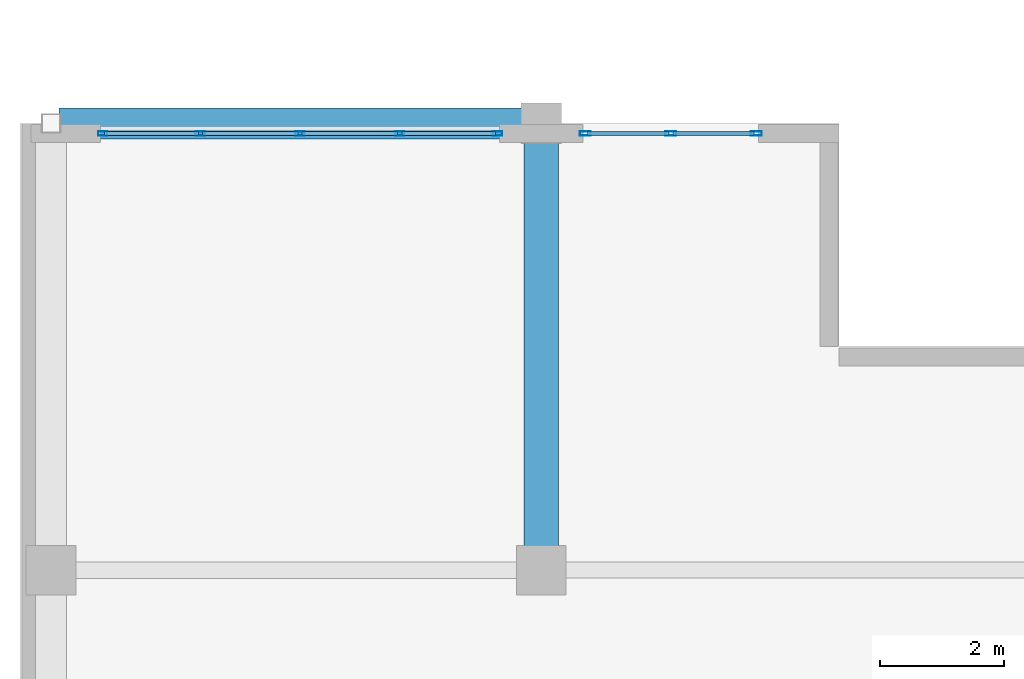
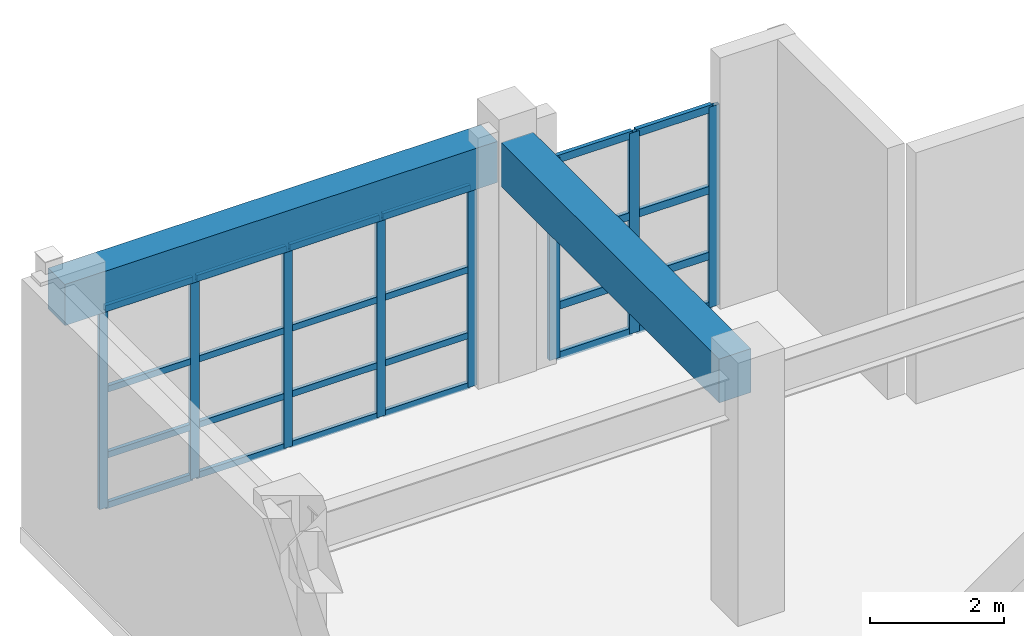
# One storey, part 42 of 123: 32 members, 2 beams, 2 elements without a shape of their own.
"""IFC4 building model written with IfcOpenShell, lengths in metres."""

from ifc_helpers import new_model, si_unit, direction, frame, origin, origin_2d, place, context, subcontext, project, spatial, rectangle, hollow_rectangle, extrude, material, layer, layer_set, material_profile, profile_set, type_object, element, aggregate, save


model = new_model("IFC4")

# Units and contexts
model_context = context("Model", 3, precision=1e-05, world=origin(), true_north=direction((0.0, 1.0)))
body_context = subcontext(model_context, "Body", "Model", "MODEL_VIEW")
ifc_project = project(units=[si_unit("LENGTHUNIT", "METRE"), si_unit("AREAUNIT", "SQUARE_METRE"), si_unit("VOLUMEUNIT", "CUBIC_METRE"), si_unit("PLANEANGLEUNIT", "RADIAN"), si_unit("MASSUNIT", "GRAM", prefix="KILO")], contexts=[model_context])

# Site, building, storey
site_placement = place(None, origin())
site = spatial("IfcSite", under=ifc_project, at=site_placement, CompositionType="ELEMENT")
building_placement = place(site_placement, origin())
building = spatial("IfcBuilding", under=site, at=building_placement, Name="Quendrovan Civic Courthouse", CompositionType="ELEMENT")
storey_placement = place(building_placement, frame((0.0, 0.0, 5.39990234375)))
storey = spatial("IfcBuildingStorey", under=building, at=storey_placement, Name="L02", CompositionType="ELEMENT", Elevation=5.39990234375)

# Beams
ifc_material_1 = material(Name="Concrete C40/50", Category="concrete")
ifc_material_profile_1 = material_profile(ifc_material_1, rectangle(XDim=0.5, YDim=0.75, at=origin_2d()), Name="RC-BM-500x750")
ifc_profile_set_1 = profile_set([ifc_material_profile_1], Name="Concrete C40/50")
beam_type_1 = type_object("IfcBeamType", Name="BM-RC750", PredefinedType="SPANDREL", material=ifc_profile_set_1)
beam_1_placement = place(storey_placement, frame((0.6298828125, 102.0, 3.985107421875), z_axis=(1.0, 0.0, 0.0), x_axis=(0.0, 1.0, 0.0)))
element("IfcBeam", 1, at=beam_1_placement, inside=storey, type_object=beam_type_1, Name="L02 Girder X0575", PredefinedType="SPANDREL", context=body_context, shape_type="SweptSolid", body=[
    extrude(rectangle(XDim=0.5, YDim=0.75, at=origin_2d()), origin(), (0.0, 0.0, 1.0), 7.465087890625),
])
ifc_material_profile_2 = material_profile(ifc_material_1, rectangle(XDim=0.550048828125, YDim=0.800048828125, at=origin_2d()), Name="RC-BM-550x800")
ifc_profile_set_2 = profile_set([ifc_material_profile_2], Name="Concrete C40/50")
beam_type_2 = type_object("IfcBeamType", Name="BM-RC800", PredefinedType="BEAM", material=ifc_profile_set_2)
beam_2_placement = place(storey_placement, frame((8.39990234375, 95.179931640625, 3.960205078125), z_axis=(0.0, 1.0, 0.0), x_axis=(-1.0, 0.0, 0.0)))
element("IfcBeam", 2, at=beam_2_placement, inside=storey, type_object=beam_type_2, Name="L02 Girder Y0621", PredefinedType="BEAM", context=body_context, shape_type="SweptSolid", body=[
    extrude(rectangle(XDim=0.550048828125, YDim=0.800048828125, at=origin_2d()), origin(), (0.0, 0.0, 1.0), 6.51513671875),
])

# Curtain wall, members
ifc_material_2 = material(Name="Bronze anodised aluminium and low-E glass", Category="aluminium")
ifc_layer_1 = layer(ifc_material_2, 0.179931640625, Name="Bronze anodised aluminium and low-E glass")
ifc_layer_set_1 = layer_set([ifc_layer_1], Name="Bronze anodised aluminium and low-E glass")
curtain_wall_type_1 = type_object("IfcCurtainWallType", Name="CW-U28x37", PredefinedType="USERDEFINED", material=ifc_layer_set_1)
curtain_wall_1_placement = place(storey_placement, origin())
curtain_wall_1 = element("IfcCurtainWall", 3, at=curtain_wall_1_placement, inside=storey, type_object=curtain_wall_type_1, Name="L02 Unitised Hurricane Curtain Wall CW-068", ObjectType="UNITISED CURTAIN WALL", PredefinedType="USERDEFINED")
ifc_material_3 = material(Name="Bronze anodised aluminium", Category="aluminium")
ifc_material_profile_3 = material_profile(ifc_material_3, hollow_rectangle(XDim=0.070068359375, YDim=0.179931640625, WallThickness=0.00390625, at=origin_2d()), Name="CW-MULL-70x180")
ifc_profile_set_3 = profile_set([ifc_material_profile_3], Name="Bronze anodised aluminium")
member_type_1 = type_object("IfcMemberType", Name="CW-MULL-A", PredefinedType="MULLION", material=ifc_profile_set_3)
member_1_placement = place(storey_placement, frame((9.110107421875, 101.8349609375, 0.0), z_axis=(0.0, 0.0, 1.0), x_axis=(0.0, 1.0, 0.0)))
member_1 = element("IfcMember", 4, at=member_1_placement, type_object=member_type_1, Name="CW-068 mullion 1", PredefinedType="MULLION", context=body_context, shape_type="SweptSolid", body=[
    extrude(hollow_rectangle(XDim=0.070068359375, YDim=0.179931640625, WallThickness=0.00390625, at=origin_2d()), origin(), (0.0, 0.0, 1.0), 3.66015625),
])
member_2_placement = place(storey_placement, frame((10.487548828125, 101.8349609375, 0.0), z_axis=(0.0, 0.0, 1.0), x_axis=(0.0, 1.0, 0.0)))
member_2 = element("IfcMember", 5, at=member_2_placement, type_object=member_type_1, Name="CW-068 mullion 2", PredefinedType="MULLION", context=body_context, shape_type="SweptSolid", body=[
    extrude(hollow_rectangle(XDim=0.070068359375, YDim=0.179931640625, WallThickness=0.00390625, at=origin_2d()), origin(), (0.0, 0.0, 1.0), 3.66015625),
])
member_3_placement = place(storey_placement, frame((11.864990234375, 101.8349609375, 0.0), z_axis=(0.0, 0.0, 1.0), x_axis=(0.0, 1.0, 0.0)))
member_3 = element("IfcMember", 6, at=member_3_placement, type_object=member_type_1, Name="CW-068 mullion 3", PredefinedType="MULLION", context=body_context, shape_type="SweptSolid", body=[
    extrude(hollow_rectangle(XDim=0.070068359375, YDim=0.179931640625, WallThickness=0.00390625, at=origin_2d()), origin(), (0.0, 0.0, 1.0), 3.66015625),
])

ifc_layer_2 = layer(ifc_material_2, 0.179931640625, Name="Bronze anodised aluminium and low-E glass")
ifc_layer_set_2 = layer_set([ifc_layer_2], Name="Bronze anodised aluminium and low-E glass")
curtain_wall_type_2 = type_object("IfcCurtainWallType", Name="CW-U64x37", PredefinedType="USERDEFINED", material=ifc_layer_set_2)
curtain_wall_2_placement = place(storey_placement, origin())
curtain_wall_2 = element("IfcCurtainWall", 7, at=curtain_wall_2_placement, inside=storey, type_object=curtain_wall_type_2, Name="L02 Unitised Hurricane Curtain Wall CW-067", ObjectType="UNITISED CURTAIN WALL", PredefinedType="USERDEFINED")
ifc_material_profile_4 = material_profile(ifc_material_3, hollow_rectangle(XDim=0.06494140625, YDim=0.14990234375, WallThickness=0.00390625, at=origin_2d()), Name="CW-MULL-65x150")
ifc_profile_set_4 = profile_set([ifc_material_profile_4], Name="Bronze anodised aluminium")
member_type_2 = type_object("IfcMemberType", Name="CW-MULL-B", PredefinedType="MULLION", material=ifc_profile_set_4)
member_4_placement = place(storey_placement, frame((1.33251953125, 101.8349609375, 0.0), z_axis=(0.0, 0.0, 1.0), x_axis=(0.0, 1.0, 0.0)))
member_4 = element("IfcMember", 8, at=member_4_placement, type_object=member_type_2, Name="CW-067 mullion 1", PredefinedType="MULLION", context=body_context, shape_type="SweptSolid", body=[
    extrude(hollow_rectangle(XDim=0.06494140625, YDim=0.14990234375, WallThickness=0.00390625, at=origin_2d()), origin(), (0.0, 0.0, 1.0), 3.66015625),
])
member_5_placement = place(storey_placement, frame((2.90625, 101.8349609375, 0.0), z_axis=(0.0, 0.0, 1.0), x_axis=(0.0, 1.0, 0.0)))
member_5 = element("IfcMember", 9, at=member_5_placement, type_object=member_type_2, Name="CW-067 mullion 2", PredefinedType="MULLION", context=body_context, shape_type="SweptSolid", body=[
    extrude(hollow_rectangle(XDim=0.06494140625, YDim=0.14990234375, WallThickness=0.00390625, at=origin_2d()), origin(), (0.0, 0.0, 1.0), 3.66015625),
])
member_6_placement = place(storey_placement, frame((4.512451171875, 101.8349609375, 0.0), z_axis=(0.0, 0.0, 1.0), x_axis=(0.0, 1.0, 0.0)))
member_6 = element("IfcMember", 10, at=member_6_placement, type_object=member_type_2, Name="CW-067 mullion 3", PredefinedType="MULLION", context=body_context, shape_type="SweptSolid", body=[
    extrude(hollow_rectangle(XDim=0.06494140625, YDim=0.14990234375, WallThickness=0.00390625, at=origin_2d()), origin(), (0.0, 0.0, 1.0), 3.66015625),
])
member_7_placement = place(storey_placement, frame((6.11865234375, 101.8349609375, 0.0), z_axis=(0.0, 0.0, 1.0), x_axis=(0.0, 1.0, 0.0)))
member_7 = element("IfcMember", 11, at=member_7_placement, type_object=member_type_2, Name="CW-067 mullion 4", PredefinedType="MULLION", context=body_context, shape_type="SweptSolid", body=[
    extrude(hollow_rectangle(XDim=0.06494140625, YDim=0.14990234375, WallThickness=0.00390625, at=origin_2d()), origin(), (0.0, 0.0, 1.0), 3.66015625),
])
member_8_placement = place(storey_placement, frame((7.6923828125, 101.8349609375, 0.0), z_axis=(0.0, 0.0, 1.0), x_axis=(0.0, 1.0, 0.0)))
member_8 = element("IfcMember", 12, at=member_8_placement, type_object=member_type_2, Name="CW-067 mullion 5", PredefinedType="MULLION", context=body_context, shape_type="SweptSolid", body=[
    extrude(hollow_rectangle(XDim=0.06494140625, YDim=0.14990234375, WallThickness=0.00390625, at=origin_2d()), origin(), (0.0, 0.0, 1.0), 3.66015625),
])

# Member
ifc_material_profile_5 = material_profile(ifc_material_3, hollow_rectangle(XDim=0.070068359375, YDim=0.139892578125, WallThickness=0.00390625, at=origin_2d()), Name="CW-TRAN-70x140")
ifc_profile_set_5 = profile_set([ifc_material_profile_5], Name="Bronze anodised aluminium")
member_type_3 = type_object("IfcMemberType", Name="CW-TRAN-A", PredefinedType="USERDEFINED", material=ifc_profile_set_5)
member_9_placement = place(storey_placement, frame((9.14501953125, 101.8349609375, 0.03515625), z_axis=(1.0, 0.0, 0.0), x_axis=(0.0, 1.0, 0.0)))
member_9 = element("IfcMember", 13, at=member_9_placement, type_object=member_type_3, Name="CW-068 transom 1.1", ObjectType="TRANSOM", PredefinedType="USERDEFINED", context=body_context, shape_type="SweptSolid", body=[
    extrude(hollow_rectangle(XDim=0.070068359375, YDim=0.139892578125, WallThickness=0.00390625, at=origin_2d()), origin(), (0.0, 0.0, 1.0), 1.307373046875),
])

member_10_placement = place(storey_placement, frame((9.14501953125, 101.8349609375, 0.9501953125), z_axis=(1.0, 0.0, 0.0), x_axis=(0.0, 1.0, 0.0)))
member_10 = element("IfcMember", 14, at=member_10_placement, type_object=member_type_3, Name="CW-068 transom 1.2", ObjectType="TRANSOM", PredefinedType="USERDEFINED", context=body_context, shape_type="SweptSolid", body=[
    extrude(hollow_rectangle(XDim=0.070068359375, YDim=0.139892578125, WallThickness=0.00390625, at=origin_2d()), origin(), (0.0, 0.0, 1.0), 1.307373046875),
])

member_11_placement = place(storey_placement, frame((9.14501953125, 101.8349609375, 2.150146484375), z_axis=(1.0, 0.0, 0.0), x_axis=(0.0, 1.0, 0.0)))
member_11 = element("IfcMember", 15, at=member_11_placement, type_object=member_type_3, Name="CW-068 transom 1.3", ObjectType="TRANSOM", PredefinedType="USERDEFINED", context=body_context, shape_type="SweptSolid", body=[
    extrude(hollow_rectangle(XDim=0.070068359375, YDim=0.139892578125, WallThickness=0.00390625, at=origin_2d()), origin(), (0.0, 0.0, 1.0), 1.307373046875),
])

member_12_placement = place(storey_placement, frame((9.14501953125, 101.8349609375, 3.625), z_axis=(1.0, 0.0, 0.0), x_axis=(0.0, 1.0, 0.0)))
member_12 = element("IfcMember", 16, at=member_12_placement, type_object=member_type_3, Name="CW-068 transom 1.4", ObjectType="TRANSOM", PredefinedType="USERDEFINED", context=body_context, shape_type="SweptSolid", body=[
    extrude(hollow_rectangle(XDim=0.070068359375, YDim=0.139892578125, WallThickness=0.00390625, at=origin_2d()), origin(), (0.0, 0.0, 1.0), 1.307373046875),
])

member_13_placement = place(storey_placement, frame((10.5224609375, 101.8349609375, 0.03515625), z_axis=(1.0, 0.0, 0.0), x_axis=(0.0, 1.0, 0.0)))
member_13 = element("IfcMember", 17, at=member_13_placement, type_object=member_type_3, Name="CW-068 transom 2.1", ObjectType="TRANSOM", PredefinedType="USERDEFINED", context=body_context, shape_type="SweptSolid", body=[
    extrude(hollow_rectangle(XDim=0.070068359375, YDim=0.139892578125, WallThickness=0.00390625, at=origin_2d()), origin(), (0.0, 0.0, 1.0), 1.3076171875),
])

member_14_placement = place(storey_placement, frame((10.5224609375, 101.8349609375, 0.9501953125), z_axis=(1.0, 0.0, 0.0), x_axis=(0.0, 1.0, 0.0)))
member_14 = element("IfcMember", 18, at=member_14_placement, type_object=member_type_3, Name="CW-068 transom 2.2", ObjectType="TRANSOM", PredefinedType="USERDEFINED", context=body_context, shape_type="SweptSolid", body=[
    extrude(hollow_rectangle(XDim=0.070068359375, YDim=0.139892578125, WallThickness=0.00390625, at=origin_2d()), origin(), (0.0, 0.0, 1.0), 1.3076171875),
])

member_15_placement = place(storey_placement, frame((10.5224609375, 101.8349609375, 2.150146484375), z_axis=(1.0, 0.0, 0.0), x_axis=(0.0, 1.0, 0.0)))
member_15 = element("IfcMember", 19, at=member_15_placement, type_object=member_type_3, Name="CW-068 transom 2.3", ObjectType="TRANSOM", PredefinedType="USERDEFINED", context=body_context, shape_type="SweptSolid", body=[
    extrude(hollow_rectangle(XDim=0.070068359375, YDim=0.139892578125, WallThickness=0.00390625, at=origin_2d()), origin(), (0.0, 0.0, 1.0), 1.3076171875),
])

member_16_placement = place(storey_placement, frame((10.5224609375, 101.8349609375, 3.625), z_axis=(1.0, 0.0, 0.0), x_axis=(0.0, 1.0, 0.0)))
member_16 = element("IfcMember", 20, at=member_16_placement, type_object=member_type_3, Name="CW-068 transom 2.4", ObjectType="TRANSOM", PredefinedType="USERDEFINED", context=body_context, shape_type="SweptSolid", body=[
    extrude(hollow_rectangle(XDim=0.070068359375, YDim=0.139892578125, WallThickness=0.00390625, at=origin_2d()), origin(), (0.0, 0.0, 1.0), 1.3076171875),
])

aggregate(curtain_wall_1, [member_1, member_2, member_3, member_9, member_10, member_11, member_12, member_13, member_14, member_15, member_16])

ifc_material_profile_6 = material_profile(ifc_material_3, hollow_rectangle(XDim=0.06494140625, YDim=0.114990234375, WallThickness=0.00390625, at=origin_2d()), Name="CW-TRAN-65x115")
ifc_profile_set_6 = profile_set([ifc_material_profile_6], Name="Bronze anodised aluminium")
member_type_4 = type_object("IfcMemberType", Name="CW-TRAN-B", PredefinedType="USERDEFINED", material=ifc_profile_set_6)
member_17_placement = place(storey_placement, frame((1.364990234375, 101.8349609375, 0.03271484375), z_axis=(1.0, 0.0, 0.0), x_axis=(0.0, 1.0, 0.0)))
member_17 = element("IfcMember", 21, at=member_17_placement, type_object=member_type_4, Name="CW-067 transom 1.1", ObjectType="TRANSOM", PredefinedType="USERDEFINED", context=body_context, shape_type="SweptSolid", body=[
    extrude(hollow_rectangle(XDim=0.06494140625, YDim=0.114990234375, WallThickness=0.00390625, at=origin_2d()), origin(), (0.0, 0.0, 1.0), 1.5087890625),
])

member_18_placement = place(storey_placement, frame((1.364990234375, 101.8349609375, 0.9501953125), z_axis=(1.0, 0.0, 0.0), x_axis=(0.0, 1.0, 0.0)))
member_18 = element("IfcMember", 22, at=member_18_placement, type_object=member_type_4, Name="CW-067 transom 1.2", ObjectType="TRANSOM", PredefinedType="USERDEFINED", context=body_context, shape_type="SweptSolid", body=[
    extrude(hollow_rectangle(XDim=0.06494140625, YDim=0.114990234375, WallThickness=0.00390625, at=origin_2d()), origin(), (0.0, 0.0, 1.0), 1.5087890625),
])

member_19_placement = place(storey_placement, frame((1.364990234375, 101.8349609375, 2.150146484375), z_axis=(1.0, 0.0, 0.0), x_axis=(0.0, 1.0, 0.0)))
member_19 = element("IfcMember", 23, at=member_19_placement, type_object=member_type_4, Name="CW-067 transom 1.3", ObjectType="TRANSOM", PredefinedType="USERDEFINED", context=body_context, shape_type="SweptSolid", body=[
    extrude(hollow_rectangle(XDim=0.06494140625, YDim=0.114990234375, WallThickness=0.00390625, at=origin_2d()), origin(), (0.0, 0.0, 1.0), 1.5087890625),
])

member_20_placement = place(storey_placement, frame((1.364990234375, 101.8349609375, 3.627685546875), z_axis=(1.0, 0.0, 0.0), x_axis=(0.0, 1.0, 0.0)))
member_20 = element("IfcMember", 24, at=member_20_placement, type_object=member_type_4, Name="CW-067 transom 1.4", ObjectType="TRANSOM", PredefinedType="USERDEFINED", context=body_context, shape_type="SweptSolid", body=[
    extrude(hollow_rectangle(XDim=0.06494140625, YDim=0.114990234375, WallThickness=0.00390625, at=origin_2d()), origin(), (0.0, 0.0, 1.0), 1.5087890625),
])

member_21_placement = place(storey_placement, frame((2.938720703125, 101.8349609375, 0.03271484375), z_axis=(1.0, 0.0, 0.0), x_axis=(0.0, 1.0, 0.0)))
member_21 = element("IfcMember", 25, at=member_21_placement, type_object=member_type_4, Name="CW-067 transom 2.1", ObjectType="TRANSOM", PredefinedType="USERDEFINED", context=body_context, shape_type="SweptSolid", body=[
    extrude(hollow_rectangle(XDim=0.06494140625, YDim=0.114990234375, WallThickness=0.00390625, at=origin_2d()), origin(), (0.0, 0.0, 1.0), 1.541259765625),
])

member_22_placement = place(storey_placement, frame((2.938720703125, 101.8349609375, 0.9501953125), z_axis=(1.0, 0.0, 0.0), x_axis=(0.0, 1.0, 0.0)))
member_22 = element("IfcMember", 26, at=member_22_placement, type_object=member_type_4, Name="CW-067 transom 2.2", ObjectType="TRANSOM", PredefinedType="USERDEFINED", context=body_context, shape_type="SweptSolid", body=[
    extrude(hollow_rectangle(XDim=0.06494140625, YDim=0.114990234375, WallThickness=0.00390625, at=origin_2d()), origin(), (0.0, 0.0, 1.0), 1.541259765625),
])

member_23_placement = place(storey_placement, frame((2.938720703125, 101.8349609375, 2.150146484375), z_axis=(1.0, 0.0, 0.0), x_axis=(0.0, 1.0, 0.0)))
member_23 = element("IfcMember", 27, at=member_23_placement, type_object=member_type_4, Name="CW-067 transom 2.3", ObjectType="TRANSOM", PredefinedType="USERDEFINED", context=body_context, shape_type="SweptSolid", body=[
    extrude(hollow_rectangle(XDim=0.06494140625, YDim=0.114990234375, WallThickness=0.00390625, at=origin_2d()), origin(), (0.0, 0.0, 1.0), 1.541259765625),
])

member_24_placement = place(storey_placement, frame((2.938720703125, 101.8349609375, 3.627685546875), z_axis=(1.0, 0.0, 0.0), x_axis=(0.0, 1.0, 0.0)))
member_24 = element("IfcMember", 28, at=member_24_placement, type_object=member_type_4, Name="CW-067 transom 2.4", ObjectType="TRANSOM", PredefinedType="USERDEFINED", context=body_context, shape_type="SweptSolid", body=[
    extrude(hollow_rectangle(XDim=0.06494140625, YDim=0.114990234375, WallThickness=0.00390625, at=origin_2d()), origin(), (0.0, 0.0, 1.0), 1.541259765625),
])

member_25_placement = place(storey_placement, frame((4.544921875, 101.8349609375, 0.03271484375), z_axis=(1.0, 0.0, 0.0), x_axis=(0.0, 1.0, 0.0)))
member_25 = element("IfcMember", 29, at=member_25_placement, type_object=member_type_4, Name="CW-067 transom 3.1", ObjectType="TRANSOM", PredefinedType="USERDEFINED", context=body_context, shape_type="SweptSolid", body=[
    extrude(hollow_rectangle(XDim=0.06494140625, YDim=0.114990234375, WallThickness=0.00390625, at=origin_2d()), origin(), (0.0, 0.0, 1.0), 1.541259765625),
])

member_26_placement = place(storey_placement, frame((4.544921875, 101.8349609375, 0.9501953125), z_axis=(1.0, 0.0, 0.0), x_axis=(0.0, 1.0, 0.0)))
member_26 = element("IfcMember", 30, at=member_26_placement, type_object=member_type_4, Name="CW-067 transom 3.2", ObjectType="TRANSOM", PredefinedType="USERDEFINED", context=body_context, shape_type="SweptSolid", body=[
    extrude(hollow_rectangle(XDim=0.06494140625, YDim=0.114990234375, WallThickness=0.00390625, at=origin_2d()), origin(), (0.0, 0.0, 1.0), 1.541259765625),
])

member_27_placement = place(storey_placement, frame((4.544921875, 101.8349609375, 2.150146484375), z_axis=(1.0, 0.0, 0.0), x_axis=(0.0, 1.0, 0.0)))
member_27 = element("IfcMember", 31, at=member_27_placement, type_object=member_type_4, Name="CW-067 transom 3.3", ObjectType="TRANSOM", PredefinedType="USERDEFINED", context=body_context, shape_type="SweptSolid", body=[
    extrude(hollow_rectangle(XDim=0.06494140625, YDim=0.114990234375, WallThickness=0.00390625, at=origin_2d()), origin(), (0.0, 0.0, 1.0), 1.541259765625),
])

member_28_placement = place(storey_placement, frame((4.544921875, 101.8349609375, 3.627685546875), z_axis=(1.0, 0.0, 0.0), x_axis=(0.0, 1.0, 0.0)))
member_28 = element("IfcMember", 32, at=member_28_placement, type_object=member_type_4, Name="CW-067 transom 3.4", ObjectType="TRANSOM", PredefinedType="USERDEFINED", context=body_context, shape_type="SweptSolid", body=[
    extrude(hollow_rectangle(XDim=0.06494140625, YDim=0.114990234375, WallThickness=0.00390625, at=origin_2d()), origin(), (0.0, 0.0, 1.0), 1.541259765625),
])

member_29_placement = place(storey_placement, frame((6.1513671875, 101.8349609375, 0.03271484375), z_axis=(1.0, 0.0, 0.0), x_axis=(0.0, 1.0, 0.0)))
member_29 = element("IfcMember", 33, at=member_29_placement, type_object=member_type_4, Name="CW-067 transom 4.1", ObjectType="TRANSOM", PredefinedType="USERDEFINED", context=body_context, shape_type="SweptSolid", body=[
    extrude(hollow_rectangle(XDim=0.06494140625, YDim=0.114990234375, WallThickness=0.00390625, at=origin_2d()), origin(), (0.0, 0.0, 1.0), 1.508544921875),
])

member_30_placement = place(storey_placement, frame((6.1513671875, 101.8349609375, 0.9501953125), z_axis=(1.0, 0.0, 0.0), x_axis=(0.0, 1.0, 0.0)))
member_30 = element("IfcMember", 34, at=member_30_placement, type_object=member_type_4, Name="CW-067 transom 4.2", ObjectType="TRANSOM", PredefinedType="USERDEFINED", context=body_context, shape_type="SweptSolid", body=[
    extrude(hollow_rectangle(XDim=0.06494140625, YDim=0.114990234375, WallThickness=0.00390625, at=origin_2d()), origin(), (0.0, 0.0, 1.0), 1.508544921875),
])

member_31_placement = place(storey_placement, frame((6.1513671875, 101.8349609375, 2.150146484375), z_axis=(1.0, 0.0, 0.0), x_axis=(0.0, 1.0, 0.0)))
member_31 = element("IfcMember", 35, at=member_31_placement, type_object=member_type_4, Name="CW-067 transom 4.3", ObjectType="TRANSOM", PredefinedType="USERDEFINED", context=body_context, shape_type="SweptSolid", body=[
    extrude(hollow_rectangle(XDim=0.06494140625, YDim=0.114990234375, WallThickness=0.00390625, at=origin_2d()), origin(), (0.0, 0.0, 1.0), 1.508544921875),
])

member_32_placement = place(storey_placement, frame((6.1513671875, 101.8349609375, 3.627685546875), z_axis=(1.0, 0.0, 0.0), x_axis=(0.0, 1.0, 0.0)))
member_32 = element("IfcMember", 36, at=member_32_placement, type_object=member_type_4, Name="CW-067 transom 4.4", ObjectType="TRANSOM", PredefinedType="USERDEFINED", context=body_context, shape_type="SweptSolid", body=[
    extrude(hollow_rectangle(XDim=0.06494140625, YDim=0.114990234375, WallThickness=0.00390625, at=origin_2d()), origin(), (0.0, 0.0, 1.0), 1.508544921875),
])

aggregate(curtain_wall_2, [member_4, member_5, member_6, member_7, member_8, member_17, member_18, member_19, member_20, member_21, member_22, member_23, member_24, member_25, member_26, member_27, member_28, member_29, member_30, member_31, member_32])

save(model, "model.ifc")
